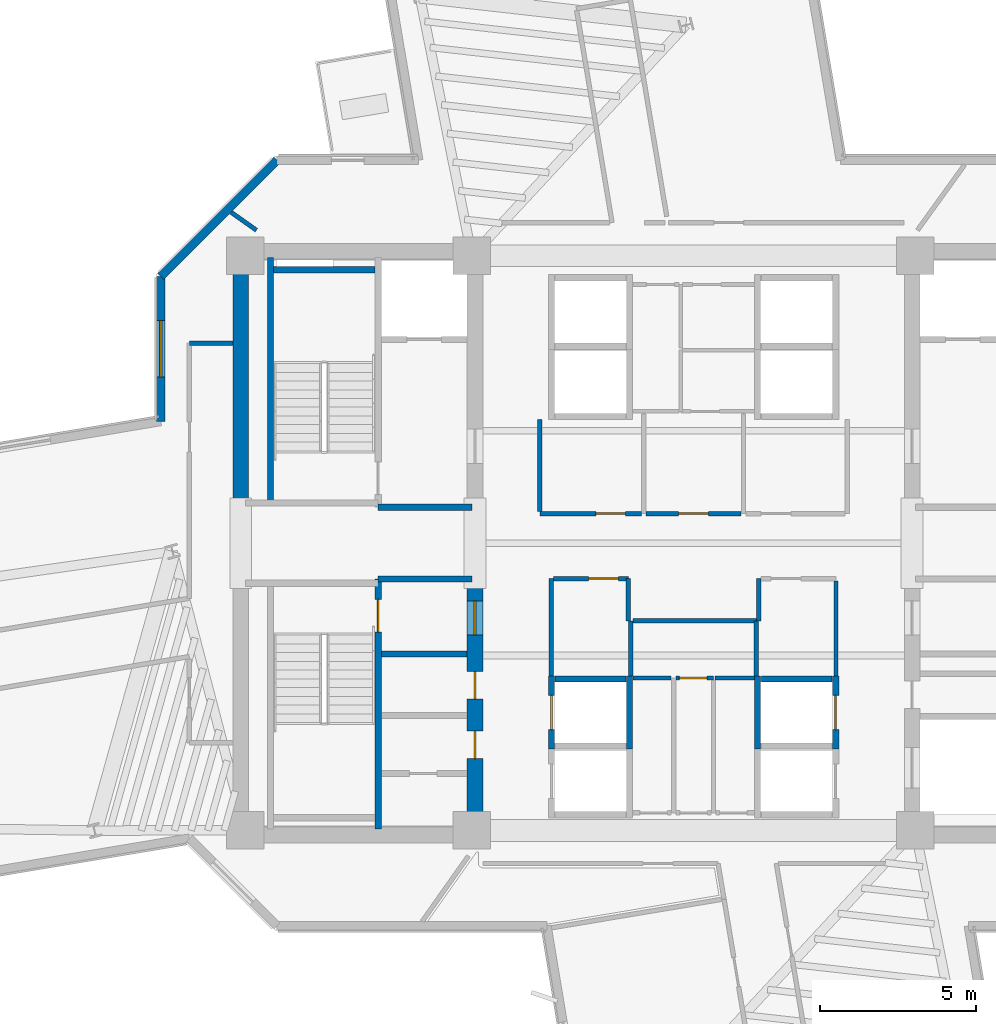
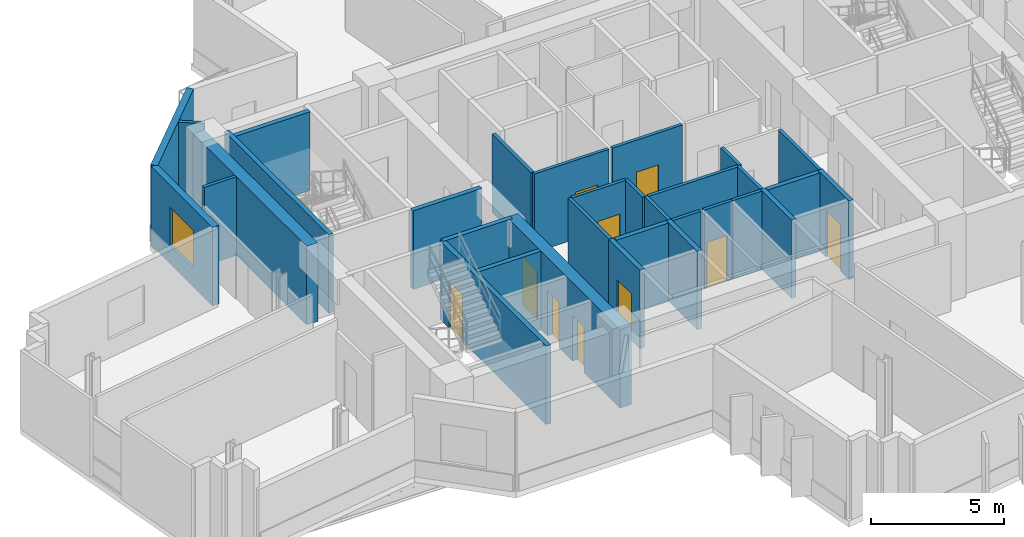
# One storey, part 8 of 15: 32 walls, 10 doors, 1 window, 11 openings.
"""IFC4 building model written with IfcOpenShell, lengths in metres."""

from ifc_helpers import new_model, si_unit, direction, frame, frame_2d, origin, place, context, subcontext, project, spatial, rectangle, extrude, source, transform, mapped, material, layer, layer_set, type_object, element, fill, save


model = new_model("IFC4")

# Units and contexts
model_context = context("Model", 3, precision=1e-05, world=origin(), true_north=direction((0.0, 1.0)))
body_context = subcontext(model_context, "Body", "Model", "MODEL_VIEW")
ifc_project = project(units=[si_unit("LENGTHUNIT", "METRE"), si_unit("AREAUNIT", "SQUARE_METRE"), si_unit("VOLUMEUNIT", "CUBIC_METRE"), si_unit("PLANEANGLEUNIT", "RADIAN"), si_unit("MASSUNIT", "GRAM", prefix="KILO")], contexts=[model_context])

# Site, building, storey
site_placement = place(None, origin())
site = spatial("IfcSite", under=ifc_project, at=site_placement, CompositionType="ELEMENT")
building_placement = place(site_placement, origin())
building = spatial("IfcBuilding", under=site, at=building_placement, Name="Zahravan Cultural Tower", CompositionType="ELEMENT")
storey_placement = place(building_placement, frame((0.0, 0.0, 143.39990234375)))
storey = spatial("IfcBuildingStorey", under=building, at=storey_placement, Name="L32", CompositionType="ELEMENT", Elevation=143.39990234375)

# Wall, openings, doors
ifc_material_1 = material(Name="Concrete C60/75", Category="concrete")
ifc_layer_1 = layer(ifc_material_1, 0.5)
ifc_layer_set_1 = layer_set([ifc_layer_1], Name="Concrete C60/75")
wall_type_1 = type_object("IfcWallType", Name="CW-SHEAR-500-C60", PredefinedType="SHEAR", material=ifc_layer_set_1)
wall_1_placement = place(storey_placement, frame((29.0, 17.39990234375, 0.0), z_axis=(0.0, 0.0, 1.0), x_axis=(0.0, 1.0, 0.0)))
wall_1 = element("IfcWall", 1, at=wall_1_placement, inside=storey, type_object=wall_type_1, Name="L32 Core Shear Wall CW-W-ES-L32", PredefinedType="SHEAR", context=body_context, shape_type="SweptSolid", body=[
    extrude(rectangle(XDim=8.550048828125, YDim=0.5, at=frame_2d((4.27490234375, 0.0))), origin(), (0.0, 0.0, 1.0), 3.6201171875),
])
opening_1_placement = place(wall_1_placement, frame((6.64990234375, 0.0, 0.0)))
opening_1 = element("IfcOpeningElement", 2, at=opening_1_placement, cuts=wall_1, Name="Opening D-L32-07", PredefinedType="OPENING", context=body_context, shape_type="SweptSolid", body=[
    extrude(rectangle(XDim=1.10009765625, YDim=2.199951171875, at=frame_2d((0.550048828125, 1.10009765625))), frame((0.0, 0.260009765625, 0.0), z_axis=(0.0, -1.0, 0.0), x_axis=(1.0, 0.0, 0.0)), (0.0, 0.0, 1.0), 0.52001953125),
])
opening_2_placement = place(wall_1_placement, frame((2.699951171875, 0.0, 0.0)))
opening_2 = element("IfcOpeningElement", 3, at=opening_2_placement, cuts=wall_1, Name="Opening D-L32-10", PredefinedType="OPENING", context=body_context, shape_type="SweptSolid", body=[
    extrude(rectangle(XDim=0.8798828125, YDim=2.10009765625, at=frame_2d((0.43994140625, 1.050048828125))), frame((0.0, 0.260009765625, 0.0), z_axis=(0.0, -1.0, 0.0), x_axis=(1.0, 0.0, 0.0)), (0.0, 0.0, 1.0), 0.52001953125),
])
opening_3_placement = place(wall_1_placement, frame((4.60009765625, 0.0, 0.0)))
opening_3 = element("IfcOpeningElement", 4, at=opening_3_placement, cuts=wall_1, Name="Opening D-L32-11", PredefinedType="OPENING", context=body_context, shape_type="SweptSolid", body=[
    extrude(rectangle(XDim=0.8798828125, YDim=2.10009765625, at=frame_2d((0.43994140625, 1.050048828125))), frame((0.0, 0.260009765625, 0.0), z_axis=(0.0, -1.0, 0.0), x_axis=(1.0, 0.0, 0.0)), (0.0, 0.0, 1.0), 0.52001953125),
])
ifc_material_2 = material(Name="Steel ASTM A572 Grade 50", Category="steel")
door_type_1 = type_object("IfcDoorType", Name="DR-LOBBY-1100", OperationType="NOTDEFINED", PredefinedType="DOOR", material=ifc_material_2)
shared_shape_1 = source(origin(), body_context, "Body", "SweptSolid", [
    extrude(rectangle(XDim=1.10009765625, YDim=2.199951171875, at=frame_2d((0.550048828125, 1.10009765625))), frame((0.0, 0.02490234375, 0.0), z_axis=(0.0, -1.0, 0.0), x_axis=(1.0, 0.0, 0.0)), (0.0, 0.0, 1.0), 0.050048828125),
])
door_1_placement = place(opening_1_placement, origin())
door_1 = element("IfcDoor", 5, at=door_1_placement, inside=storey, type_object=door_type_1, Name="L32 Door D-L32-07", OperationType="SINGLE_SWING_RIGHT", OverallHeight=2.199951171875, OverallWidth=1.10009765625, PredefinedType="DOOR", context=body_context, shape_type="MappedRepresentation", body=[
    mapped(shared_shape_1, transform((0.0, 0.0, 0.0), x_axis=(1.0, 0.0, 0.0), y_axis=(0.0, 1.0, 0.0), z_axis=(0.0, 0.0, 1.0), scale=1.0)),
])
fill(opening_1, door_1)
door_type_2 = type_object("IfcDoorType", Name="DR-SVC-880", OperationType="NOTDEFINED", PredefinedType="DOOR", material=ifc_material_2)
shared_shape_2 = source(origin(), body_context, "Body", "SweptSolid", [
    extrude(rectangle(XDim=0.8798828125, YDim=2.10009765625, at=frame_2d((0.43994140625, 1.050048828125))), frame((0.0, 0.02490234375, 0.0), z_axis=(0.0, -1.0, 0.0), x_axis=(1.0, 0.0, 0.0)), (0.0, 0.0, 1.0), 0.050048828125),
])
door_2_placement = place(opening_2_placement, origin())
door_2 = element("IfcDoor", 6, at=door_2_placement, inside=storey, type_object=door_type_2, Name="L32 Door D-L32-10", OperationType="SINGLE_SWING_LEFT", OverallHeight=2.10009765625, OverallWidth=0.8798828125, PredefinedType="DOOR", context=body_context, shape_type="MappedRepresentation", body=[
    mapped(shared_shape_2, transform((0.0, 0.0, 0.0), x_axis=(1.0, 0.0, 0.0), y_axis=(0.0, 1.0, 0.0), z_axis=(0.0, 0.0, 1.0), scale=1.0)),
])
fill(opening_2, door_2)
door_3_placement = place(opening_3_placement, origin())
door_3 = element("IfcDoor", 7, at=door_3_placement, inside=storey, type_object=door_type_2, Name="L32 Door D-L32-11", OperationType="SINGLE_SWING_RIGHT", OverallHeight=2.10009765625, OverallWidth=0.8798828125, PredefinedType="DOOR", context=body_context, shape_type="MappedRepresentation", body=[
    mapped(shared_shape_2, transform((0.0, 0.0, 0.0), x_axis=(1.0, 0.0, 0.0), y_axis=(0.0, 1.0, 0.0), z_axis=(0.0, 0.0, 1.0), scale=1.0)),
])
fill(opening_3, door_3)

# Wall, opening, window
ifc_material_3 = material(Name="Precast concrete C40/50", Category="concrete")
ifc_layer_2 = layer(ifc_material_3, 0.280029296875)
ifc_layer_set_2 = layer_set([ifc_layer_2], Name="Precast concrete C40/50")
wall_type_2 = type_object("IfcWallType", Name="EW-TC-280", PredefinedType="SOLIDWALL", material=ifc_layer_set_2)
wall_2_placement = place(storey_placement, frame((18.93994140625, 30.897705078125, 0.0), z_axis=(0.0, 0.0, 1.0), x_axis=(0.0, 1.0, 0.0)))
wall_2 = element("IfcWall", 8, at=wall_2_placement, inside=storey, type_object=wall_type_2, Name="L32 Exterior Masonry Frame Wall 37", PredefinedType="SOLIDWALL", context=body_context, shape_type="SweptSolid", body=[
    extrude(rectangle(XDim=4.644287109375, YDim=0.280029296875, at=frame_2d((2.322265625, 0.0))), origin(), (0.0, 0.0, 1.0), 3.6201171875),
])
opening_4_placement = place(wall_2_placement, frame((1.422119140625, 0.0, 0.85009765625)))
opening_4 = element("IfcOpeningElement", 9, at=opening_4_placement, cuts=wall_2, Name="Opening WN-02", PredefinedType="OPENING", context=body_context, shape_type="SweptSolid", body=[
    extrude(rectangle(XDim=1.800048828125, YDim=1.75, at=frame_2d((0.89990234375, 0.875))), frame((0.0, 0.14990234375, 0.0), z_axis=(0.0, -1.0, 0.0), x_axis=(1.0, 0.0, 0.0)), (0.0, 0.0, 1.0), 0.300048828125),
])
ifc_material_4 = material(Name="Low-E solar-control double glazing", Category="glass")
window_type = type_object("IfcWindowType", Name="WN-REC-1800X1750", PartitioningType="DOUBLE_PANEL_VERTICAL", PredefinedType="WINDOW", material=ifc_material_4)
shared_shape_3 = source(origin(), body_context, "Body", "SweptSolid", [
    extrude(rectangle(XDim=1.800048828125, YDim=1.75, at=frame_2d((0.89990234375, 0.875))), frame((0.0, 0.030029296875, 0.0), z_axis=(0.0, -1.0, 0.0), x_axis=(1.0, 0.0, 0.0)), (0.0, 0.0, 1.0), 0.06005859375),
])
window_placement = place(opening_4_placement, origin())
window = element("IfcWindow", 10, at=window_placement, inside=storey, type_object=window_type, Name="L32 Recessed Solar Window 08", OverallHeight=1.75, OverallWidth=1.800048828125, PartitioningType="DOUBLE_PANEL_VERTICAL", PredefinedType="WINDOW", context=body_context, shape_type="MappedRepresentation", body=[
    mapped(shared_shape_3, transform((0.0, 0.0, 0.0), x_axis=(1.0, 0.0, 0.0), y_axis=(0.0, 1.0, 0.0), z_axis=(0.0, 0.0, 1.0), scale=1.0)),
])
fill(opening_4, window)

# Wall, opening, door
ifc_material_5 = material(Name="Gypsum plasterboard partition")
ifc_layer_3 = layer(ifc_material_5, 0.139892578125)
ifc_layer_set_3 = layer_set([ifc_layer_3], Name="Gypsum plasterboard partition")
wall_type_3 = type_object("IfcWallType", Name="W-PART-140", PredefinedType="PARTITIONING", material=ifc_layer_set_3)
wall_3_placement = place(storey_placement, frame((35.43505859375, 22.679931640625, 0.0), z_axis=(0.0, 0.0, 1.0), x_axis=(1.0, 0.0, 0.0)))
wall_3 = element("IfcWall", 11, at=wall_3_placement, inside=storey, type_object=wall_type_3, Name="L32 Interior Wall 063", PredefinedType="PARTITIONING", context=body_context, shape_type="SweptSolid", body=[
    extrude(rectangle(XDim=1.204833984375, YDim=0.139892578125, at=frame_2d((0.6025390625, 0.0))), origin(), (0.0, 0.0, 1.0), 3.6201171875),
])
opening_5_placement = place(wall_3_placement, frame((0.11376953125, 0.0, 0.0)))
opening_5 = element("IfcOpeningElement", 12, at=opening_5_placement, cuts=wall_3, Name="Opening D-L32-30", PredefinedType="OPENING", context=body_context, shape_type="SweptSolid", body=[
    extrude(rectangle(XDim=0.8798828125, YDim=2.10009765625, at=frame_2d((0.43994140625, 1.050048828125))), frame((0.0, 0.079833984375, 0.0), z_axis=(0.0, -1.0, 0.0), x_axis=(1.0, 0.0, 0.0)), (0.0, 0.0, 1.0), 0.159912109375),
])
ifc_material_6 = material(Name="Anodised bronze-aluminium mullion", Category="aluminium")
door_type_3 = type_object("IfcDoorType", Name="DR-ROOM-880", OperationType="NOTDEFINED", PredefinedType="DOOR", material=ifc_material_6)
door_4_placement = place(opening_5_placement, origin())
door_4 = element("IfcDoor", 13, at=door_4_placement, inside=storey, type_object=door_type_3, Name="L32 Door D-L32-30", OperationType="SINGLE_SWING_LEFT", OverallHeight=2.10009765625, OverallWidth=0.8798828125, PredefinedType="DOOR", context=body_context, shape_type="MappedRepresentation", body=[
    mapped(shared_shape_2, transform((0.0, 0.0, 0.0), x_axis=(1.0, 0.0, 0.0), y_axis=(0.0, 1.0, 0.0), z_axis=(0.0, 0.0, 1.0), scale=1.0)),
])
fill(opening_5, door_4)

wall_4_placement = place(storey_placement, frame((31.514892578125, 25.860107421875, 0.0), z_axis=(0.0, 0.0, 1.0), x_axis=(1.0, 0.0, 0.0)))
wall_4 = element("IfcWall", 14, at=wall_4_placement, inside=storey, type_object=wall_type_3, Name="L32 Interior Wall 076", PredefinedType="PARTITIONING", context=body_context, shape_type="SweptSolid", body=[
    extrude(rectangle(XDim=2.39501953125, YDim=0.139892578125, at=frame_2d((1.197509765625, 0.0))), origin(), (0.0, 0.0, 1.0), 3.6201171875),
])
opening_6_placement = place(wall_4_placement, frame((1.127197265625, 0.0, 0.0)))
opening_6 = element("IfcOpeningElement", 15, at=opening_6_placement, cuts=wall_4, Name="Opening D-L32-13", PredefinedType="OPENING", context=body_context, shape_type="SweptSolid", body=[
    extrude(rectangle(XDim=0.949951171875, YDim=2.14990234375, at=frame_2d((0.47509765625, 1.074951171875))), frame((0.0, 0.079833984375, 0.0), z_axis=(0.0, -1.0, 0.0), x_axis=(1.0, 0.0, 0.0)), (0.0, 0.0, 1.0), 0.159912109375),
])
door_type_4 = type_object("IfcDoorType", Name="DR-ROOM-950", OperationType="NOTDEFINED", PredefinedType="DOOR", material=ifc_material_6)
shared_shape_4 = source(origin(), body_context, "Body", "SweptSolid", [
    extrude(rectangle(XDim=0.949951171875, YDim=2.14990234375, at=frame_2d((0.47509765625, 1.074951171875))), frame((0.0, 0.02490234375, 0.0), z_axis=(0.0, -1.0, 0.0), x_axis=(1.0, 0.0, 0.0)), (0.0, 0.0, 1.0), 0.050048828125),
])
door_5_placement = place(opening_6_placement, origin())
door_5 = element("IfcDoor", 16, at=door_5_placement, inside=storey, type_object=door_type_4, Name="L32 Door D-L32-13", OperationType="SINGLE_SWING_RIGHT", OverallHeight=2.14990234375, OverallWidth=0.949951171875, PredefinedType="DOOR", context=body_context, shape_type="MappedRepresentation", body=[
    mapped(shared_shape_4, transform((0.0, 0.0, 0.0), x_axis=(1.0, 0.0, 0.0), y_axis=(0.0, 1.0, 0.0), z_axis=(0.0, 0.0, 1.0), scale=1.0)),
])
fill(opening_6, door_5)

wall_5_placement = place(storey_placement, frame((37.52490234375, 27.93994140625, 0.0), z_axis=(0.0, 0.0, 1.0), x_axis=(-1.0, 0.0, 0.0)))
wall_5 = element("IfcWall", 17, at=wall_5_placement, inside=storey, type_object=wall_type_3, Name="L32 Interior Wall 083", PredefinedType="PARTITIONING", context=body_context, shape_type="SweptSolid", body=[
    extrude(rectangle(XDim=3.0498046875, YDim=0.139892578125, at=frame_2d((1.52490234375, 0.0))), origin(), (0.0, 0.0, 1.0), 3.6201171875),
])
opening_7_placement = place(wall_5_placement, frame((1.050048828125, 0.0, 0.0)))
opening_7 = element("IfcOpeningElement", 18, at=opening_7_placement, cuts=wall_5, Name="Opening D-L32-18", PredefinedType="OPENING", context=body_context, shape_type="SweptSolid", body=[
    extrude(rectangle(XDim=0.949951171875, YDim=2.14990234375, at=frame_2d((0.47509765625, 1.074951171875))), frame((0.0, 0.079833984375, 0.0), z_axis=(0.0, -1.0, 0.0), x_axis=(1.0, 0.0, 0.0)), (0.0, 0.0, 1.0), 0.159912109375),
])
door_6_placement = place(opening_7_placement, origin())
door_6 = element("IfcDoor", 19, at=door_6_placement, inside=storey, type_object=door_type_4, Name="L32 Door D-L32-18", OperationType="SINGLE_SWING_LEFT", OverallHeight=2.14990234375, OverallWidth=0.949951171875, PredefinedType="DOOR", context=body_context, shape_type="MappedRepresentation", body=[
    mapped(shared_shape_4, transform((0.0, 0.0, 0.0), x_axis=(1.0, 0.0, 0.0), y_axis=(0.0, 1.0, 0.0), z_axis=(0.0, 0.0, 1.0), scale=1.0)),
])
fill(opening_7, door_6)

wall_6_placement = place(storey_placement, frame((34.324951171875, 27.93994140625, 0.0), z_axis=(0.0, 0.0, 1.0), x_axis=(-1.0, 0.0, 0.0)))
wall_6 = element("IfcWall", 20, at=wall_6_placement, inside=storey, type_object=wall_type_3, Name="L32 Interior Wall 084", PredefinedType="PARTITIONING", context=body_context, shape_type="SweptSolid", body=[
    extrude(rectangle(XDim=3.244873046875, YDim=0.139892578125, at=frame_2d((1.62255859375, 0.0))), origin(), (0.0, 0.0, 1.0), 3.6201171875),
])
opening_8_placement = place(wall_6_placement, frame((0.5048828125, 0.0, 0.0)))
opening_8 = element("IfcOpeningElement", 21, at=opening_8_placement, cuts=wall_6, Name="Opening D-L32-17", PredefinedType="OPENING", context=body_context, shape_type="SweptSolid", body=[
    extrude(rectangle(XDim=0.949951171875, YDim=2.14990234375, at=frame_2d((0.47509765625, 1.074951171875))), frame((0.0, 0.079833984375, 0.0), z_axis=(0.0, -1.0, 0.0), x_axis=(1.0, 0.0, 0.0)), (0.0, 0.0, 1.0), 0.159912109375),
])
door_7_placement = place(opening_8_placement, origin())
door_7 = element("IfcDoor", 22, at=door_7_placement, inside=storey, type_object=door_type_4, Name="L32 Door D-L32-17", OperationType="SINGLE_SWING_RIGHT", OverallHeight=2.14990234375, OverallWidth=0.949951171875, PredefinedType="DOOR", context=body_context, shape_type="MappedRepresentation", body=[
    mapped(shared_shape_4, transform((0.0, 0.0, 0.0), x_axis=(1.0, 0.0, 0.0), y_axis=(0.0, 1.0, 0.0), z_axis=(0.0, 0.0, 1.0), scale=1.0)),
])
fill(opening_8, door_7)

ifc_material_7 = material(Name="Concrete C45/55", Category="concrete")
ifc_layer_4 = layer(ifc_material_7, 0.199951171875)
ifc_layer_set_4 = layer_set([ifc_layer_4], Name="Concrete C45/55")
wall_type_4 = type_object("IfcWallType", Name="W-SHAFT-200", PredefinedType="SOLIDWALL", material=ifc_layer_set_4)
wall_7_placement = place(storey_placement, frame((25.89990234375, 17.85009765625, 0.0), z_axis=(0.0, 0.0, 1.0), x_axis=(0.0, 1.0, 0.0)))
wall_7 = element("IfcWall", 23, at=wall_7_placement, inside=storey, type_object=wall_type_4, Name="L32 Interior Wall 005", PredefinedType="SOLIDWALL", context=body_context, shape_type="SweptSolid", body=[
    extrude(rectangle(XDim=8.0, YDim=0.199951171875, at=frame_2d((4.0, 0.0))), origin(), (0.0, 0.0, 1.0), 3.6201171875),
])
opening_9_placement = place(wall_7_placement, frame((6.300048828125, 0.0, 0.0)))
opening_9 = element("IfcOpeningElement", 24, at=opening_9_placement, cuts=wall_7, Name="Opening D-L32-04", PredefinedType="OPENING", context=body_context, shape_type="SweptSolid", body=[
    extrude(rectangle(XDim=1.050048828125, YDim=2.14990234375, at=frame_2d((0.52490234375, 1.074951171875))), frame((0.0, 0.10986328125, 0.0), z_axis=(0.0, -1.0, 0.0), x_axis=(1.0, 0.0, 0.0)), (0.0, 0.0, 1.0), 0.219970703125),
])
door_type_5 = type_object("IfcDoorType", Name="DR-STAIR-1050", OperationType="NOTDEFINED", PredefinedType="DOOR", material=ifc_material_2)
shared_shape_5 = source(origin(), body_context, "Body", "SweptSolid", [
    extrude(rectangle(XDim=1.050048828125, YDim=2.14990234375, at=frame_2d((0.52490234375, 1.074951171875))), frame((0.0, 0.02490234375, 0.0), z_axis=(0.0, -1.0, 0.0), x_axis=(1.0, 0.0, 0.0)), (0.0, 0.0, 1.0), 0.050048828125),
])
door_8_placement = place(opening_9_placement, origin())
door_8 = element("IfcDoor", 25, at=door_8_placement, inside=storey, type_object=door_type_5, Name="L32 Door D-L32-04", OperationType="SINGLE_SWING_LEFT", OverallHeight=2.14990234375, OverallWidth=1.050048828125, PredefinedType="DOOR", context=body_context, shape_type="MappedRepresentation", body=[
    mapped(shared_shape_5, transform((0.0, 0.0, 0.0), x_axis=(1.0, 0.0, 0.0), y_axis=(0.0, 1.0, 0.0), z_axis=(0.0, 0.0, 1.0), scale=1.0)),
])
fill(opening_9, door_8)

wall_8_placement = place(storey_placement, frame((31.449951171875, 20.39990234375, 0.0), z_axis=(0.0, 0.0, 1.0), x_axis=(0.0, 1.0, 0.0)))
wall_8 = element("IfcWall", 26, at=wall_8_placement, inside=storey, type_object=wall_type_4, Name="L32 Interior Wall 043", PredefinedType="SOLIDWALL", context=body_context, shape_type="SweptSolid", body=[
    extrude(rectangle(XDim=2.35009765625, YDim=0.199951171875, at=frame_2d((1.175048828125, 0.0))), origin(), (0.0, 0.0, 1.0), 3.6201171875),
])
opening_10_placement = place(wall_8_placement, frame((0.625, 0.0, 0.0)))
opening_10 = element("IfcOpeningElement", 27, at=opening_10_placement, cuts=wall_8, Name="Opening LD-L32-04", PredefinedType="OPENING", context=body_context, shape_type="SweptSolid", body=[
    extrude(rectangle(XDim=1.10009765625, YDim=2.14990234375, at=frame_2d((0.550048828125, 1.074951171875))), frame((0.0, 0.10986328125, 0.0), z_axis=(0.0, -1.0, 0.0), x_axis=(1.0, 0.0, 0.0)), (0.0, 0.0, 1.0), 0.219970703125),
])
door_type_6 = type_object("IfcDoorType", Name="DR-LIFT-1100", OperationType="DOUBLE_DOOR_SLIDING", PredefinedType="DOOR", material=ifc_material_2)
shared_shape_6 = source(origin(), body_context, "Body", "SweptSolid", [
    extrude(rectangle(XDim=1.10009765625, YDim=2.14990234375, at=frame_2d((0.550048828125, 1.074951171875))), frame((0.0, 0.02490234375, 0.0), z_axis=(0.0, -1.0, 0.0), x_axis=(1.0, 0.0, 0.0)), (0.0, 0.0, 1.0), 0.050048828125),
])
door_9_placement = place(opening_10_placement, origin())
door_9 = element("IfcDoor", 28, at=door_9_placement, inside=storey, type_object=door_type_6, Name="L32 Door LD-L32-04", OperationType="DOUBLE_DOOR_SLIDING", OverallHeight=2.14990234375, OverallWidth=1.10009765625, PredefinedType="DOOR", context=body_context, shape_type="MappedRepresentation", body=[
    mapped(shared_shape_6, transform((0.0, 0.0, 0.0), x_axis=(1.0, 0.0, 0.0), y_axis=(0.0, 1.0, 0.0), z_axis=(0.0, 0.0, 1.0), scale=1.0)),
])
fill(opening_10, door_9)

wall_9_placement = place(storey_placement, frame((40.550048828125, 20.39990234375, 0.0), z_axis=(0.0, 0.0, 1.0), x_axis=(0.0, 1.0, 0.0)))
wall_9 = element("IfcWall", 29, at=wall_9_placement, inside=storey, type_object=wall_type_4, Name="L32 Interior Wall 051", PredefinedType="SOLIDWALL", context=body_context, shape_type="SweptSolid", body=[
    extrude(rectangle(XDim=2.35009765625, YDim=0.199951171875, at=frame_2d((1.175048828125, 0.0))), origin(), (0.0, 0.0, 1.0), 3.6201171875),
])
opening_11_placement = place(wall_9_placement, frame((0.625, 0.0, 0.0)))
opening_11 = element("IfcOpeningElement", 30, at=opening_11_placement, cuts=wall_9, Name="Opening LD-L32-06", PredefinedType="OPENING", context=body_context, shape_type="SweptSolid", body=[
    extrude(rectangle(XDim=1.10009765625, YDim=2.14990234375, at=frame_2d((0.550048828125, 1.074951171875))), frame((0.0, 0.10986328125, 0.0), z_axis=(0.0, -1.0, 0.0), x_axis=(1.0, 0.0, 0.0)), (0.0, 0.0, 1.0), 0.219970703125),
])
door_10_placement = place(opening_11_placement, origin())
door_10 = element("IfcDoor", 31, at=door_10_placement, inside=storey, type_object=door_type_6, Name="L32 Door LD-L32-06", OperationType="DOUBLE_DOOR_SLIDING", OverallHeight=2.14990234375, OverallWidth=1.10009765625, PredefinedType="DOOR", context=body_context, shape_type="MappedRepresentation", body=[
    mapped(shared_shape_6, transform((0.0, 0.0, 0.0), x_axis=(1.0, 0.0, 0.0), y_axis=(0.0, 1.0, 0.0), z_axis=(0.0, 0.0, 1.0), scale=1.0)),
])
fill(opening_11, door_10)

# Walls
shared_shape_7 = source(origin(), body_context, "Body", "SweptSolid", [
    extrude(rectangle(XDim=8.550048828125, YDim=0.5, at=frame_2d((4.27490234375, 0.0))), origin(), (0.0, 0.0, 1.0), 3.6201171875),
])
wall_10_placement = place(storey_placement, frame((21.5, 28.050048828125, 0.0), z_axis=(0.0, 0.0, 1.0), x_axis=(0.0, 1.0, 0.0)))
element("IfcWall", 32, at=wall_10_placement, inside=storey, type_object=wall_type_1, Name="L32 Core Shear Wall CW-W-WN-L32", PredefinedType="SHEAR", context=body_context, shape_type="MappedRepresentation", body=[
    mapped(shared_shape_7, transform((0.0, 0.0, 0.0), x_axis=(1.0, 0.0, 0.0), y_axis=(0.0, 1.0, 0.0), z_axis=(0.0, 0.0, 1.0), scale=1.0)),
])
shared_shape_8 = source(origin(), body_context, "Body", "SweptSolid", [
    extrude(rectangle(XDim=5.258056640625, YDim=0.280029296875, at=frame_2d((2.62890625, 0.0))), origin(), (0.0, 0.0, 1.0), 3.6201171875),
])
wall_11_placement = place(storey_placement, frame((18.93994140625, 35.5419921875, 0.0), z_axis=(0.0, 0.0, 1.0), x_axis=(0.707106781187, 0.707106781187, 0.0)))
element("IfcWall", 33, at=wall_11_placement, inside=storey, type_object=wall_type_2, Name="L32 Exterior Masonry Frame Wall 38", PredefinedType="SOLIDWALL", context=body_context, shape_type="MappedRepresentation", body=[
    mapped(shared_shape_8, transform((0.0, 0.0, 0.0), x_axis=(1.0, 0.0, 0.0), y_axis=(0.0, 1.0, 0.0), z_axis=(0.0, 0.0, 1.0), scale=1.0)),
])
shared_shape_9 = source(origin(), body_context, "Body", "SweptSolid", [
    extrude(rectangle(XDim=7.869873046875, YDim=0.199951171875, at=frame_2d((3.93505859375, 0.0))), origin(), (0.0, 0.0, 1.0), 3.6201171875),
])
wall_12_placement = place(storey_placement, frame((22.449951171875, 28.280029296875, 0.0), z_axis=(0.0, 0.0, 1.0), x_axis=(0.0, 1.0, 0.0)))
element("IfcWall", 34, at=wall_12_placement, inside=storey, type_object=wall_type_4, Name="L32 Interior Wall 002", PredefinedType="SOLIDWALL", context=body_context, shape_type="MappedRepresentation", body=[
    mapped(shared_shape_9, transform((0.0, 0.0, 0.0), x_axis=(1.0, 0.0, 0.0), y_axis=(0.0, 1.0, 0.0), z_axis=(0.0, 0.0, 1.0), scale=1.0)),
])
shared_shape_10 = source(origin(), body_context, "Body", "SweptSolid", [
    extrude(rectangle(XDim=3.0, YDim=0.199951171875, at=frame_2d((1.5, 0.0))), origin(), (0.0, 0.0, 1.0), 3.6201171875),
])
for number, where, z_axis, x_axis, name in (
    (35, (25.89990234375, 25.85009765625, 0.0), (0.0, 0.0, 1.0), (1.0, 0.0, 0.0), "L32 Interior Wall 010"),
    (36, (25.89990234375, 28.14990234375, 0.0), (0.0, 0.0, 1.0), (1.0, 0.0, 0.0), "L32 Interior Wall 012"),
):
    element("IfcWall", number, at=place(storey_placement, frame(where, z_axis=z_axis, x_axis=x_axis)), inside=storey, type_object=wall_type_4, Name=name, PredefinedType="SOLIDWALL", context=body_context, shape_type="MappedRepresentation", body=[
        mapped(shared_shape_10, transform((0.0, 0.0, 0.0), x_axis=(1.0, 0.0, 0.0), y_axis=(0.0, 1.0, 0.0), z_axis=(0.0, 0.0, 1.0), scale=1.0)),
    ])
shared_shape_11 = source(origin(), body_context, "Body", "SweptSolid", [
    extrude(rectangle(XDim=3.25, YDim=0.199951171875, at=frame_2d((1.625, 0.0))), origin(), (0.0, 0.0, 1.0), 3.6201171875),
])
wall_13_placement = place(storey_placement, frame((22.550048828125, 35.75, 0.0), z_axis=(0.0, 0.0, 1.0), x_axis=(1.0, 0.0, 0.0)))
element("IfcWall", 37, at=wall_13_placement, inside=storey, type_object=wall_type_4, Name="L32 Interior Wall 017", PredefinedType="SOLIDWALL", context=body_context, shape_type="MappedRepresentation", body=[
    mapped(shared_shape_11, transform((0.0, 0.0, 0.0), x_axis=(1.0, 0.0, 0.0), y_axis=(0.0, 1.0, 0.0), z_axis=(0.0, 0.0, 1.0), scale=1.0)),
])
shared_shape_12 = source(origin(), body_context, "Body", "SweptSolid", [
    extrude(rectangle(XDim=2.75, YDim=0.199951171875, at=frame_2d((1.375, 0.0))), origin(), (0.0, 0.0, 1.0), 3.6201171875),
])
wall_14_placement = place(storey_placement, frame((26.0, 23.449951171875, 0.0), z_axis=(0.0, 0.0, 1.0), x_axis=(1.0, 0.0, 0.0)))
element("IfcWall", 38, at=wall_14_placement, inside=storey, type_object=wall_type_4, Name="L32 Interior Wall 023", PredefinedType="SOLIDWALL", context=body_context, shape_type="MappedRepresentation", body=[
    mapped(shared_shape_12, transform((0.0, 0.0, 0.0), x_axis=(1.0, 0.0, 0.0), y_axis=(0.0, 1.0, 0.0), z_axis=(0.0, 0.0, 1.0), scale=1.0)),
])
shared_shape_13 = source(origin(), body_context, "Body", "SweptSolid", [
    extrude(rectangle(XDim=2.260009765625, YDim=0.199951171875, at=frame_2d((1.1298828125, 0.0))), origin(), (0.0, 0.0, 1.0), 3.6201171875),
])
for number, where, z_axis, x_axis, name in (
    (39, (31.570068359375, 22.64990234375, 0.0), (0.0, 0.0, 1.0), (1.0, 0.0, 0.0), "L32 Interior Wall 046"),
    (40, (38.169921875, 22.64990234375, 0.0), (0.0, 0.0, 1.0), (1.0, 0.0, 0.0), "L32 Interior Wall 053"),
):
    element("IfcWall", number, at=place(storey_placement, frame(where, z_axis=z_axis, x_axis=x_axis)), inside=storey, type_object=wall_type_4, Name=name, PredefinedType="SOLIDWALL", context=body_context, shape_type="MappedRepresentation", body=[
        mapped(shared_shape_13, transform((0.0, 0.0, 0.0), x_axis=(1.0, 0.0, 0.0), y_axis=(0.0, 1.0, 0.0), z_axis=(0.0, 0.0, 1.0), scale=1.0)),
    ])
shared_shape_14 = source(origin(), body_context, "Body", "SweptSolid", [
    extrude(rectangle(XDim=2.35009765625, YDim=0.199951171875, at=frame_2d((1.175048828125, 0.0))), origin(), (0.0, 0.0, 1.0), 3.6201171875),
])
for number, where, z_axis, x_axis, name in (
    (41, (33.949951171875, 20.39990234375, 0.0), (0.0, 0.0, 1.0), (0.0, 1.0, 0.0), "L32 Interior Wall 044"),
    (42, (38.050048828125, 20.39990234375, 0.0), (0.0, 0.0, 1.0), (0.0, 1.0, 0.0), "L32 Interior Wall 050"),
):
    element("IfcWall", number, at=place(storey_placement, frame(where, z_axis=z_axis, x_axis=x_axis)), inside=storey, type_object=wall_type_4, Name=name, PredefinedType="SOLIDWALL", context=body_context, shape_type="MappedRepresentation", body=[
        mapped(shared_shape_14, transform((0.0, 0.0, 0.0), x_axis=(1.0, 0.0, 0.0), y_axis=(0.0, 1.0, 0.0), z_axis=(0.0, 0.0, 1.0), scale=1.0)),
    ])
shared_shape_15 = source(origin(), body_context, "Body", "SweptSolid", [
    extrude(rectangle(XDim=1.22998046875, YDim=0.139892578125, at=frame_2d((0.614990234375, 0.0))), origin(), (0.0, 0.0, 1.0), 3.6201171875),
])
wall_15_placement = place(storey_placement, frame((34.054931640625, 22.679931640625, 0.0), z_axis=(0.0, 0.0, 1.0), x_axis=(1.0, 0.0, 0.0)))
element("IfcWall", 43, at=wall_15_placement, inside=storey, type_object=wall_type_3, Name="L32 Interior Wall 066", PredefinedType="PARTITIONING", context=body_context, shape_type="MappedRepresentation", body=[
    mapped(shared_shape_15, transform((0.0, 0.0, 0.0), x_axis=(1.0, 0.0, 0.0), y_axis=(0.0, 1.0, 0.0), z_axis=(0.0, 0.0, 1.0), scale=1.0)),
])
shared_shape_16 = source(origin(), body_context, "Body", "SweptSolid", [
    extrude(rectangle(XDim=1.26513671875, YDim=0.139892578125, at=frame_2d((0.632568359375, 0.0))), origin(), (0.0, 0.0, 1.0), 3.6201171875),
])
wall_16_placement = place(storey_placement, frame((36.679931640625, 22.679931640625, 0.0), z_axis=(0.0, 0.0, 1.0), x_axis=(1.0, 0.0, 0.0)))
element("IfcWall", 44, at=wall_16_placement, inside=storey, type_object=wall_type_3, Name="L32 Interior Wall 068", PredefinedType="PARTITIONING", context=body_context, shape_type="MappedRepresentation", body=[
    mapped(shared_shape_16, transform((0.0, 0.0, 0.0), x_axis=(1.0, 0.0, 0.0), y_axis=(0.0, 1.0, 0.0), z_axis=(0.0, 0.0, 1.0), scale=1.0)),
])
shared_shape_17 = source(origin(), body_context, "Body", "SweptSolid", [
    extrude(rectangle(XDim=1.760009765625, YDim=0.139892578125, at=frame_2d((0.8798828125, 0.0))), origin(), (0.0, 0.0, 1.0), 3.6201171875),
])
for number, where, z_axis, x_axis, name in (
    (45, (33.989990234375, 22.75, 0.0), (0.0, 0.0, 1.0), (0.0, 1.0, 0.0), "L32 Interior Wall 072"),
    (46, (38.010009765625, 24.510009765625, 0.0), (0.0, 0.0, 1.0), (0.0, -1.0, 0.0), "L32 Interior Wall 074"),
):
    element("IfcWall", number, at=place(storey_placement, frame(where, z_axis=z_axis, x_axis=x_axis)), inside=storey, type_object=wall_type_3, Name=name, PredefinedType="PARTITIONING", context=body_context, shape_type="MappedRepresentation", body=[
        mapped(shared_shape_17, transform((0.0, 0.0, 0.0), x_axis=(1.0, 0.0, 0.0), y_axis=(0.0, 1.0, 0.0), z_axis=(0.0, 0.0, 1.0), scale=1.0)),
    ])
shared_shape_18 = source(origin(), body_context, "Body", "SweptSolid", [
    extrude(rectangle(XDim=3.945068359375, YDim=0.139892578125, at=frame_2d((1.97265625, 0.0))), origin(), (0.0, 0.0, 1.0), 3.6201171875),
])
wall_17_placement = place(storey_placement, frame((34.06494140625, 24.510009765625, 0.0), z_axis=(0.0, 0.0, 1.0), x_axis=(1.0, 0.0, 0.0)))
element("IfcWall", 47, at=wall_17_placement, inside=storey, type_object=wall_type_3, Name="L32 Interior Wall 073", PredefinedType="PARTITIONING", context=body_context, shape_type="MappedRepresentation", body=[
    mapped(shared_shape_18, transform((0.0, 0.0, 0.0), x_axis=(1.0, 0.0, 0.0), y_axis=(0.0, 1.0, 0.0), z_axis=(0.0, 0.0, 1.0), scale=1.0)),
])
shared_shape_19 = source(origin(), body_context, "Body", "SweptSolid", [
    extrude(rectangle(XDim=3.110107421875, YDim=0.139892578125, at=frame_2d((1.55517578125, 0.0))), origin(), (0.0, 0.0, 1.0), 3.6201171875),
])
wall_18_placement = place(storey_placement, frame((31.43994140625, 22.75, 0.0), z_axis=(0.0, 0.0, 1.0), x_axis=(0.0, 1.0, 0.0)))
element("IfcWall", 48, at=wall_18_placement, inside=storey, type_object=wall_type_3, Name="L32 Interior Wall 075", PredefinedType="PARTITIONING", context=body_context, shape_type="MappedRepresentation", body=[
    mapped(shared_shape_19, transform((0.0, 0.0, 0.0), x_axis=(1.0, 0.0, 0.0), y_axis=(0.0, 1.0, 0.0), z_axis=(0.0, 0.0, 1.0), scale=1.0)),
])
shared_shape_20 = source(origin(), body_context, "Body", "SweptSolid", [
    extrude(rectangle(XDim=1.35009765625, YDim=0.139892578125, at=frame_2d((0.675048828125, 0.0))), origin(), (0.0, 0.0, 1.0), 3.6201171875),
])
for number, where, z_axis, x_axis, name in (
    (49, (33.909912109375, 25.860107421875, 0.0), (0.0, 0.0, 1.0), (0.0, -1.0, 0.0), "L32 Interior Wall 077"),
    (50, (38.090087890625, 24.510009765625, 0.0), (0.0, 0.0, 1.0), (0.0, 1.0, 0.0), "L32 Interior Wall 078"),
):
    element("IfcWall", number, at=place(storey_placement, frame(where, z_axis=z_axis, x_axis=x_axis)), inside=storey, type_object=wall_type_3, Name=name, PredefinedType="PARTITIONING", context=body_context, shape_type="MappedRepresentation", body=[
        mapped(shared_shape_20, transform((0.0, 0.0, 0.0), x_axis=(1.0, 0.0, 0.0), y_axis=(0.0, 1.0, 0.0), z_axis=(0.0, 0.0, 1.0), scale=1.0)),
    ])
shared_shape_21 = source(origin(), body_context, "Body", "SweptSolid", [
    extrude(rectangle(XDim=3.034912109375, YDim=0.139892578125, at=frame_2d((1.517578125, 0.0))), origin(), (0.0, 0.0, 1.0), 3.6201171875),
])
wall_19_placement = place(storey_placement, frame((40.56005859375, 25.784912109375, 0.0), z_axis=(0.0, 0.0, 1.0), x_axis=(0.0, -1.0, 0.0)))
element("IfcWall", 51, at=wall_19_placement, inside=storey, type_object=wall_type_3, Name="L32 Interior Wall 080", PredefinedType="PARTITIONING", context=body_context, shape_type="MappedRepresentation", body=[
    mapped(shared_shape_21, transform((0.0, 0.0, 0.0), x_axis=(1.0, 0.0, 0.0), y_axis=(0.0, 1.0, 0.0), z_axis=(0.0, 0.0, 1.0), scale=1.0)),
])
shared_shape_22 = source(origin(), body_context, "Body", "SweptSolid", [
    extrude(rectangle(XDim=2.93505859375, YDim=0.139892578125, at=frame_2d((1.467529296875, 0.0))), origin(), (0.0, 0.0, 1.0), 3.6201171875),
])
wall_20_placement = place(storey_placement, frame((31.080078125, 28.014892578125, 0.0), z_axis=(0.0, 0.0, 1.0), x_axis=(0.0, 1.0, 0.0)))
element("IfcWall", 52, at=wall_20_placement, inside=storey, type_object=wall_type_3, Name="L32 Interior Wall 085", PredefinedType="PARTITIONING", context=body_context, shape_type="MappedRepresentation", body=[
    mapped(shared_shape_22, transform((0.0, 0.0, 0.0), x_axis=(1.0, 0.0, 0.0), y_axis=(0.0, 1.0, 0.0), z_axis=(0.0, 0.0, 1.0), scale=1.0)),
])
shared_shape_23 = source(origin(), body_context, "Body", "SweptSolid", [
    extrude(rectangle(XDim=0.98779296875, YDim=0.139892578125, at=frame_2d((0.493896484375, 0.0))), origin(), (0.0, 0.0, 1.0), 3.6201171875),
])
wall_21_placement = place(storey_placement, frame((21.193359375, 37.59033203125, 0.0), z_axis=(0.0, 0.0, 1.0), x_axis=(0.81652929337, -0.577304004029, 0.0)))
element("IfcWall", 53, at=wall_21_placement, inside=storey, type_object=wall_type_3, Name="L32 Interior Wall 096", PredefinedType="PARTITIONING", context=body_context, shape_type="MappedRepresentation", body=[
    mapped(shared_shape_23, transform((0.0, 0.0, 0.0), x_axis=(1.0, 0.0, 0.0), y_axis=(0.0, 1.0, 0.0), z_axis=(0.0, 0.0, 1.0), scale=1.0)),
])
shared_shape_24 = source(origin(), body_context, "Body", "SweptSolid", [
    extrude(rectangle(XDim=1.391357421875, YDim=0.139892578125, at=frame_2d((0.69580078125, 0.0))), origin(), (0.0, 0.0, 1.0), 3.6201171875),
])
wall_22_placement = place(storey_placement, frame((21.2451171875, 33.39990234375, 0.0), z_axis=(0.0, 0.0, 1.0), x_axis=(-0.999999938421, -0.00035093874, 0.0)))
element("IfcWall", 54, at=wall_22_placement, inside=storey, type_object=wall_type_3, Name="L32 Interior Wall 097", PredefinedType="PARTITIONING", context=body_context, shape_type="MappedRepresentation", body=[
    mapped(shared_shape_24, transform((0.0, 0.0, 0.0), x_axis=(1.0, 0.0, 0.0), y_axis=(0.0, 1.0, 0.0), z_axis=(0.0, 0.0, 1.0), scale=1.0)),
])

save(model, "model.ifc")
